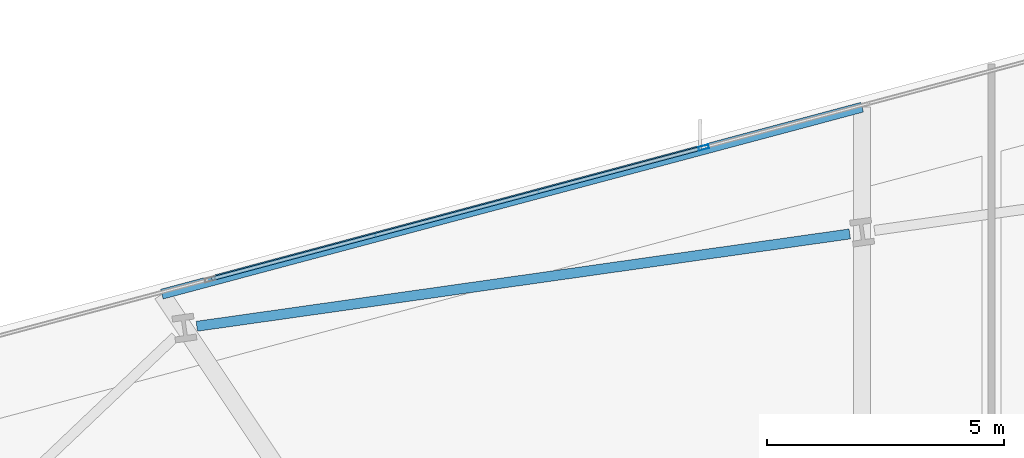
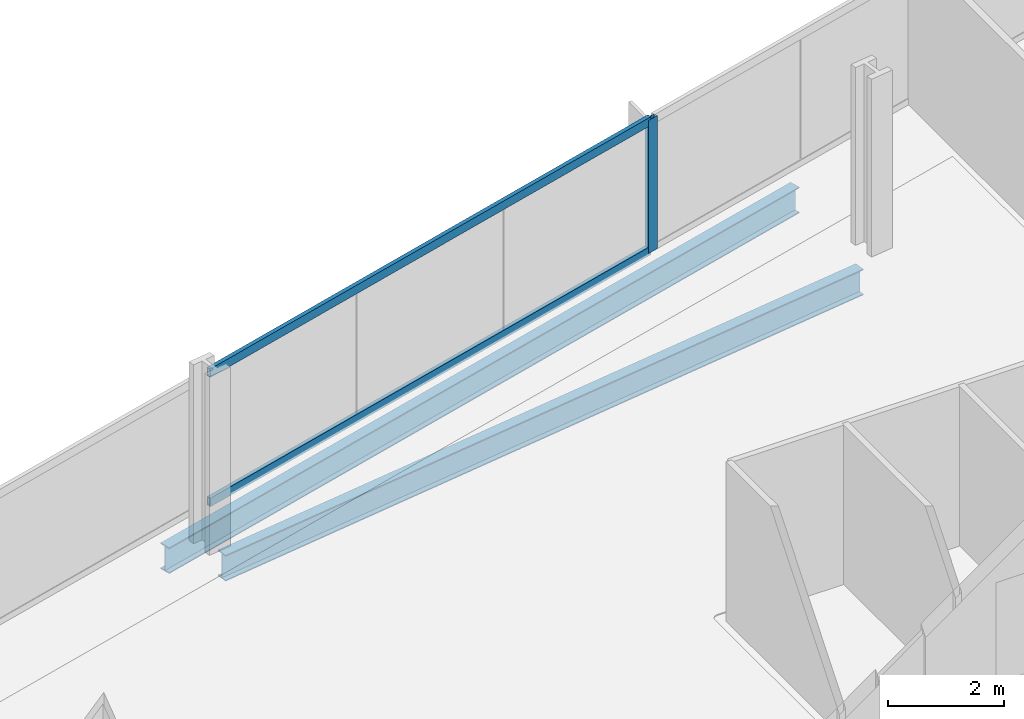
# One storey, part 18 of 33: 3 members, 2 beams, 1 element without a shape of its own.
"""IFC4 building model written with IfcOpenShell, lengths in metres."""

from ifc_helpers import new_model, si_unit, direction, frame, origin, origin_2d, place, context, subcontext, project, spatial, hollow_rectangle, i_section, extrude, material, material_profile, profile_set, type_object, element, aggregate, save


model = new_model("IFC4")

# Units and contexts
model_context = context("Model", 3, precision=1e-05, world=origin(), true_north=direction((0.0, 1.0)))
body_context = subcontext(model_context, "Body", "Model", "MODEL_VIEW")
ifc_project = project(units=[si_unit("LENGTHUNIT", "METRE"), si_unit("AREAUNIT", "SQUARE_METRE"), si_unit("VOLUMEUNIT", "CUBIC_METRE"), si_unit("PLANEANGLEUNIT", "RADIAN"), si_unit("MASSUNIT", "GRAM", prefix="KILO")], contexts=[model_context])

# Site, building, storey
site_placement = place(None, origin())
site = spatial("IfcSite", under=ifc_project, at=site_placement, CompositionType="ELEMENT")
building_placement = place(site_placement, origin())
building = spatial("IfcBuilding", under=site, at=building_placement, Name="Haldenkirk Collegiate Tower", CompositionType="ELEMENT")
storey_placement = place(building_placement, frame((0.0, 0.0, 77.699951171875)))
storey = spatial("IfcBuildingStorey", under=building, at=storey_placement, Name="L18", CompositionType="ELEMENT", Elevation=77.699951171875)

# Beams
ifc_material_1 = material(Name="Steel ASTM A992 Grade 50", Category="steel")
ifc_material_profile_1 = material_profile(ifc_material_1, i_section(OverallWidth=0.2119140625, OverallDepth=0.5439453125, WebThickness=0.01318359375, FlangeThickness=0.021240234375, at=origin_2d()), Name="W21X83")
ifc_profile_set_1 = profile_set([ifc_material_profile_1], Name="Steel ASTM A992 Grade 50")
beam_type = type_object("IfcBeamType", Name="BM-SPANDREL-W21X83", PredefinedType="SPANDREL", material=ifc_profile_set_1)
beam_1_placement = place(storey_placement, frame((32.51025390625, 48.785888671875, -0.58203125), z_axis=(-0.990146197746, -0.14003752029, 0.0), x_axis=(0.14003752029, -0.990146197746, 0.0)))
element("IfcBeam", 1, at=beam_1_placement, inside=storey, type_object=beam_type, Name="L18 perimeter spandrel beam 11", PredefinedType="SPANDREL", context=body_context, shape_type="SweptSolid", body=[
    extrude(i_section(OverallWidth=0.2119140625, OverallDepth=0.5439453125, WebThickness=0.01318359375, FlangeThickness=0.021240234375, at=origin_2d()), origin(), (0.0, 0.0, 1.0), 13.906982421875),
])
beam_2_placement = place(storey_placement, frame((32.772216796875, 51.458984375, -0.58203125), z_axis=(-0.966151390264, -0.257975756789, 0.0), x_axis=(0.257975756789, -0.966151390264, 0.0)))
element("IfcBeam", 2, at=beam_2_placement, inside=storey, type_object=beam_type, Name="L18 outer facade edge beam 3", PredefinedType="SPANDREL", context=body_context, shape_type="SweptSolid", body=[
    extrude(i_section(OverallWidth=0.2119140625, OverallDepth=0.5439453125, WebThickness=0.01318359375, FlangeThickness=0.021240234375, at=origin_2d()), origin(), (0.0, 0.0, 1.0), 15.28662109375),
])

# Curtain wall, members
ifc_material_2 = material(Name="Anodised architectural bronze aluminium", Category="aluminium")
curtain_wall_type = type_object("IfcCurtainWallType", Name="CW-SYS1-CONVEX-LOW", PredefinedType="USERDEFINED", material=ifc_material_2)
curtain_wall_placement = place(storey_placement, origin())
curtain_wall = element("IfcCurtainWall", 3, at=curtain_wall_placement, inside=storey, type_object=curtain_wall_type, Name="L18 Lower tower convex bronze-framed unitised curtain wall", ObjectType="UNITISED CURTAIN WALL", PredefinedType="USERDEFINED")
ifc_material_profile_2 = material_profile(ifc_material_2, hollow_rectangle(XDim=0.080078125, YDim=0.219970703125, WallThickness=0.0048828125, at=origin_2d()), Name="CW-MUL-1A")
ifc_profile_set_2 = profile_set([ifc_material_profile_2], Name="Anodised architectural bronze aluminium")
member_type_1 = type_object("IfcMemberType", Name="CW-MUL-1A", PredefinedType="MULLION", material=ifc_profile_set_2)
member_1_placement = place(storey_placement, frame((29.42919921875, 50.60791015625, 0.0), z_axis=(0.0, 0.0, 1.0), x_axis=(-0.257974128891, 0.966151824934, 0.0)))
member_1 = element("IfcMember", 4, at=member_1_placement, type_object=member_type_1, Name="CW-1A mullion 3", PredefinedType="MULLION", context=body_context, shape_type="SweptSolid", body=[
    extrude(hollow_rectangle(XDim=0.080078125, YDim=0.219970703125, WallThickness=0.0048828125, at=origin_2d()), origin(), (0.0, 0.0, 1.0), 2.791015625),
])
ifc_material_profile_3 = material_profile(ifc_material_2, hollow_rectangle(XDim=0.080078125, YDim=0.179931640625, WallThickness=0.0048828125, at=origin_2d()), Name="CW-TRN-1A")
ifc_profile_set_3 = profile_set([ifc_material_profile_3], Name="Anodised architectural bronze aluminium")
member_type_2 = type_object("IfcMemberType", Name="CW-TRN-1A", PredefinedType="USERDEFINED", material=ifc_profile_set_3)
member_2_placement = place(storey_placement, frame((19.0576171875, 47.83837890625, 0.0400390625), z_axis=(0.966151914784, 0.257973792387, 0.0), x_axis=(-0.257973792387, 0.966151914784, 0.0)))
member_2 = element("IfcMember", 5, at=member_2_placement, type_object=member_type_2, Name="CW-1A transom 2.1", ObjectType="TRANSOM", PredefinedType="USERDEFINED", context=body_context, shape_type="SweptSolid", body=[
    extrude(hollow_rectangle(XDim=0.080078125, YDim=0.179931640625, WallThickness=0.0048828125, at=origin_2d()), origin(), (0.0, 0.0, 1.0), 10.695068359375),
])
member_3_placement = place(storey_placement, frame((19.0576171875, 47.83837890625, 2.7509765625), z_axis=(0.966151914784, 0.257973792387, 0.0), x_axis=(-0.257973792387, 0.966151914784, 0.0)))
member_3 = element("IfcMember", 6, at=member_3_placement, type_object=member_type_2, Name="CW-1A transom 2.2", ObjectType="TRANSOM", PredefinedType="USERDEFINED", context=body_context, shape_type="SweptSolid", body=[
    extrude(hollow_rectangle(XDim=0.080078125, YDim=0.179931640625, WallThickness=0.0048828125, at=origin_2d()), origin(), (0.0, 0.0, 1.0), 10.695068359375),
])
aggregate(curtain_wall, [member_1, member_2, member_3])

save(model, "model.ifc")
